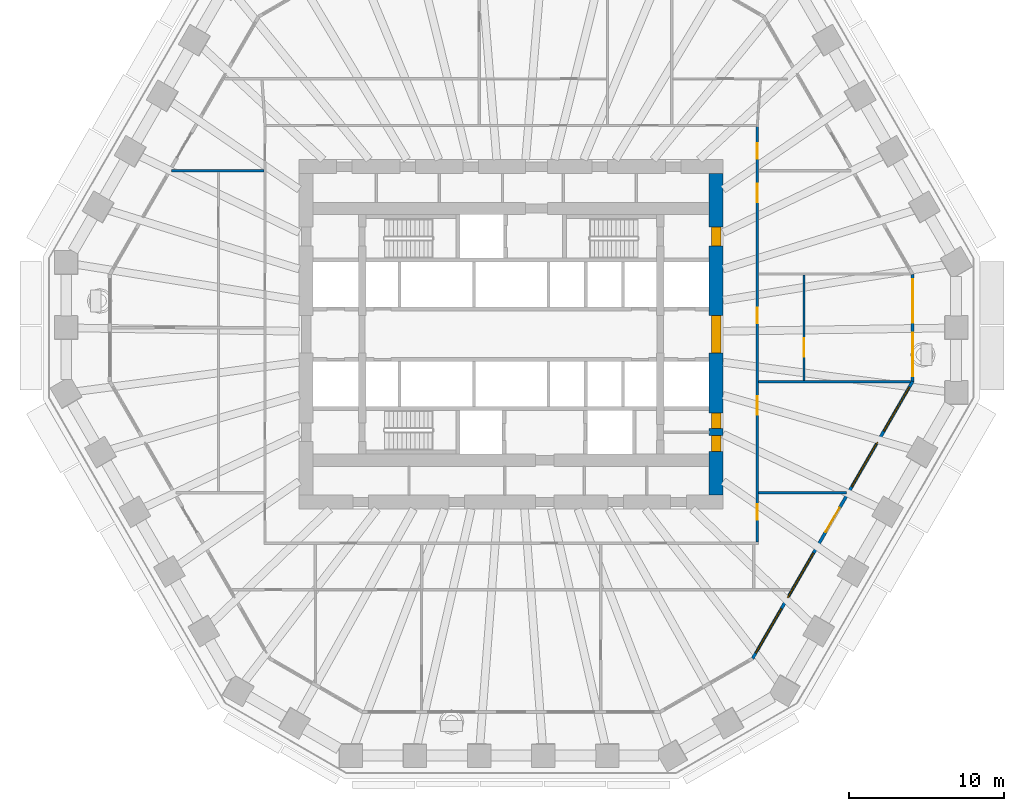
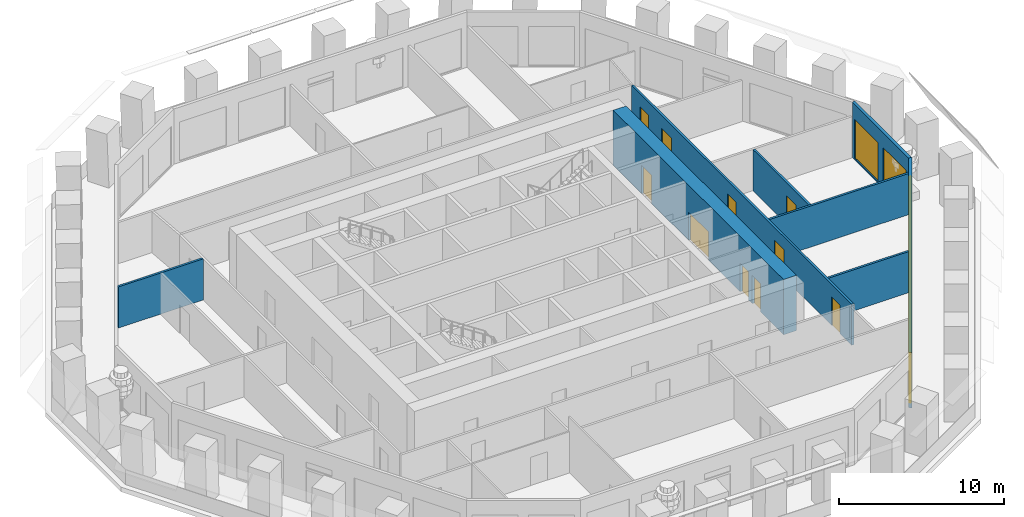
# One storey, part 6 of 13: 11 doors, 8 walls, 7 windows, 18 openings.
"""IFC4 building model written with IfcOpenShell, lengths in metres."""

from ifc_helpers import new_model, si_unit, direction, frame, frame_2d, origin, place, context, subcontext, project, spatial, polyline, rectangle, outline, extrude, material, layer, layer_set, type_object, element, fill, save


model = new_model("IFC4")

# Units and contexts
model_context = context("Model", 3, precision=1e-05, world=origin(), true_north=direction((0.0, 1.0)))
body_context = subcontext(model_context, "Body", "Model", "MODEL_VIEW")
ifc_project = project(units=[si_unit("LENGTHUNIT", "METRE"), si_unit("AREAUNIT", "SQUARE_METRE"), si_unit("VOLUMEUNIT", "CUBIC_METRE"), si_unit("PLANEANGLEUNIT", "RADIAN"), si_unit("MASSUNIT", "GRAM", prefix="KILO")], contexts=[model_context])

# Site, building, storey
site_placement = place(None, origin())
site = spatial("IfcSite", under=ifc_project, at=site_placement, CompositionType="ELEMENT")
building_placement = place(site_placement, origin())
building = spatial("IfcBuilding", under=site, at=building_placement, Name="Frailejon Research Tower", CompositionType="ELEMENT")
storey_placement = place(building_placement, frame((0.0, 0.0, 27.800048828125)))
storey = spatial("IfcBuildingStorey", under=building, at=storey_placement, Name="L06", CompositionType="ELEMENT", Elevation=27.800048828125)

# Wall, openings, doors
ifc_material_1 = material(Name="Concrete C70/85", Category="concrete")
ifc_layer_1 = layer(ifc_material_1, 0.89990234375)
ifc_layer_set_1 = layer_set([ifc_layer_1], Name="Core shear wall 900 C70/85")
wall_type_1 = type_object("IfcWallType", Name="Core shear wall 900 C70/85", PredefinedType="SHEAR", material=ifc_layer_set_1)
wall_1_placement = place(storey_placement, frame((13.199951171875, -10.35009765625, 0.0), z_axis=(0.0, 0.0, 1.0), x_axis=(0.0, 1.0, 0.0)))
wall_1 = element("IfcWall", 1, at=wall_1_placement, inside=storey, type_object=wall_type_1, Name="Core shear wall", PredefinedType="SHEAR", context=body_context, shape_type="SweptSolid", body=[
    extrude(rectangle(XDim=20.7001953125, YDim=0.89990234375, at=frame_2d((10.35009765625, 0.0))), origin(), (0.0, 0.0, 1.0), 4.099853515625),
])
opening_1_placement = place(wall_1_placement, frame((9.14990234375, 0.0, 0.0)))
opening_1 = element("IfcOpeningElement", 2, at=opening_1_placement, cuts=wall_1, Name="Opening D2", PredefinedType="OPENING", context=body_context, shape_type="SweptSolid", body=[
    extrude(rectangle(XDim=2.39990234375, YDim=2.10009765625, at=frame_2d((1.199951171875, 1.050048828125))), frame((0.0, 0.4599609375, 0.0), z_axis=(0.0, -1.0, 0.0), x_axis=(1.0, 0.0, 0.0)), (0.0, 0.0, 1.0), 0.919921875),
])
opening_2_placement = place(wall_1_placement, frame((16.050048828125, 0.0, 0.0)))
opening_2 = element("IfcOpeningElement", 3, at=opening_2_placement, cuts=wall_1, Name="Opening D7", PredefinedType="OPENING", context=body_context, shape_type="SweptSolid", body=[
    extrude(rectangle(XDim=1.199951171875, YDim=2.10009765625, at=frame_2d((0.60009765625, 1.050048828125))), frame((0.0, 0.4599609375, 0.0), z_axis=(0.0, -1.0, 0.0), x_axis=(1.0, 0.0, 0.0)), (0.0, 0.0, 1.0), 0.919921875),
])
opening_3_placement = place(wall_1_placement, frame((2.81884765625, 0.0, 0.0)))
opening_3 = element("IfcOpeningElement", 4, at=opening_3_placement, cuts=wall_1, Name="Opening D4", PredefinedType="OPENING", context=body_context, shape_type="SweptSolid", body=[
    extrude(rectangle(XDim=1.0, YDim=2.10009765625, at=frame_2d((0.5, 1.050048828125))), frame((0.0, 0.4599609375, 0.0), z_axis=(0.0, -1.0, 0.0), x_axis=(1.0, 0.0, 0.0)), (0.0, 0.0, 1.0), 0.919921875),
])
opening_4_placement = place(wall_1_placement, frame((4.28125, 0.0, 0.0)))
opening_4 = element("IfcOpeningElement", 5, at=opening_4_placement, cuts=wall_1, Name="Opening D4", PredefinedType="OPENING", context=body_context, shape_type="SweptSolid", body=[
    extrude(rectangle(XDim=1.0, YDim=2.10009765625, at=frame_2d((0.5, 1.050048828125))), frame((0.0, 0.4599609375, 0.0), z_axis=(0.0, -1.0, 0.0), x_axis=(1.0, 0.0, 0.0)), (0.0, 0.0, 1.0), 0.919921875),
])
ifc_material_2 = material(Name="Steel", Category="steel")
door_type_1 = type_object("IfcDoorType", Name="Lobby double door", OperationType="DOUBLE_DOOR_SINGLE_SWING", PredefinedType="DOOR", material=ifc_material_2)
door_1_placement = place(opening_1_placement, origin())
door_1 = element("IfcDoor", 6, at=door_1_placement, inside=storey, type_object=door_type_1, Name="Lobby door", OperationType="DOUBLE_DOOR_SINGLE_SWING", OverallHeight=2.10009765625, OverallWidth=2.39990234375, PredefinedType="DOOR", context=body_context, shape_type="SweptSolid", body=[
    extrude(rectangle(XDim=2.39990234375, YDim=2.10009765625, at=frame_2d((1.199951171875, 1.050048828125))), frame((0.0, 0.300048828125, 0.0), z_axis=(0.0, -1.0, 0.0), x_axis=(1.0, 0.0, 0.0)), (0.0, 0.0, 1.0), 0.60009765625),
])
fill(opening_1, door_1)
ifc_material_3 = material(Name="Steel", Category="steel")
door_type_2 = type_object("IfcDoorType", Name="Service door", OperationType="SINGLE_SWING_LEFT", PredefinedType="DOOR", material=ifc_material_3)
door_2_placement = place(opening_3_placement, origin())
door_2 = element("IfcDoor", 7, at=door_2_placement, inside=storey, type_object=door_type_2, Name="Store door", OperationType="SINGLE_SWING_LEFT", OverallHeight=2.10009765625, OverallWidth=1.0, PredefinedType="DOOR", context=body_context, shape_type="SweptSolid", body=[
    extrude(rectangle(XDim=1.0, YDim=2.10009765625, at=frame_2d((0.5, 1.050048828125))), frame((0.0, 0.300048828125, 0.0), z_axis=(0.0, -1.0, 0.0), x_axis=(1.0, 0.0, 0.0)), (0.0, 0.0, 1.0), 0.60009765625),
])
fill(opening_3, door_2)
door_3_placement = place(opening_4_placement, origin())
door_3 = element("IfcDoor", 8, at=door_3_placement, inside=storey, type_object=door_type_2, Name="Store door", OperationType="SINGLE_SWING_RIGHT", OverallHeight=2.10009765625, OverallWidth=1.0, PredefinedType="DOOR", context=body_context, shape_type="SweptSolid", body=[
    extrude(rectangle(XDim=1.0, YDim=2.10009765625, at=frame_2d((0.5, 1.050048828125))), frame((0.0, 0.300048828125, 0.0), z_axis=(0.0, -1.0, 0.0), x_axis=(1.0, 0.0, 0.0)), (0.0, 0.0, 1.0), 0.60009765625),
])
fill(opening_4, door_3)
ifc_material_4 = material(Name="Steel", Category="steel")
door_type_3 = type_object("IfcDoorType", Name="Stair exit door", OperationType="SINGLE_SWING_LEFT", PredefinedType="DOOR", material=ifc_material_4)
door_4_placement = place(opening_2_placement, origin())
door_4 = element("IfcDoor", 9, at=door_4_placement, inside=storey, type_object=door_type_3, Name="Stair exit door ST3", OperationType="SINGLE_SWING_LEFT", OverallHeight=2.10009765625, OverallWidth=1.199951171875, PredefinedType="DOOR", context=body_context, shape_type="SweptSolid", body=[
    extrude(rectangle(XDim=1.199951171875, YDim=2.10009765625, at=frame_2d((0.60009765625, 1.050048828125))), frame((0.0, 0.300048828125, 0.0), z_axis=(0.0, -1.0, 0.0), x_axis=(1.0, 0.0, 0.0)), (0.0, 0.0, 1.0), 0.60009765625),
])
fill(opening_2, door_4)

ifc_material_5 = material(Name="Gypsum board and masonry partition", Category="masonry")
ifc_layer_2 = layer(ifc_material_5, 0.14990234375)
ifc_layer_set_2 = layer_set([ifc_layer_2], Name="Corridor wall EI 60, gypsum on steel studs 150")
wall_type_2 = type_object("IfcWallType", Name="Corridor wall EI 60, gypsum on steel studs 150", PredefinedType="PARTITIONING", material=ifc_layer_set_2)
wall_2_placement = place(storey_placement, frame((15.85009765625, -13.375, 0.0), z_axis=(0.0, 0.0, 1.0), x_axis=(0.0, 1.0, 0.0)))
wall_2 = element("IfcWall", 10, at=wall_2_placement, inside=storey, type_object=wall_type_2, Name="T:IW:L06:001", PredefinedType="PARTITIONING", context=body_context, shape_type="SweptSolid", body=[
    extrude(rectangle(XDim=26.75, YDim=0.14990234375, at=frame_2d((13.375, 0.0))), origin(), (0.0, 0.0, 1.0), 3.050048828125),
])
opening_5_placement = place(wall_2_placement, frame((14.07421875, 0.0, 0.0)))
opening_5 = element("IfcOpeningElement", 11, at=opening_5_placement, cuts=wall_2, Name="Opening D1294", PredefinedType="OPENING", context=body_context, shape_type="SweptSolid", body=[
    extrude(rectangle(XDim=1.0, YDim=2.10009765625, at=frame_2d((0.5, 1.050048828125))), frame((0.0, 0.0849609375, 0.0), z_axis=(0.0, -1.0, 0.0), x_axis=(1.0, 0.0, 0.0)), (0.0, 0.0, 1.0), 0.169921875),
])
opening_6_placement = place(wall_2_placement, frame((21.86572265625, 0.0, 0.0)))
opening_6 = element("IfcOpeningElement", 12, at=opening_6_placement, cuts=wall_2, Name="Opening D1295", PredefinedType="OPENING", context=body_context, shape_type="SweptSolid", body=[
    extrude(rectangle(XDim=1.199951171875, YDim=2.10009765625, at=frame_2d((0.60009765625, 1.050048828125))), frame((0.0, 0.0849609375, 0.0), z_axis=(0.0, -1.0, 0.0), x_axis=(1.0, 0.0, 0.0)), (0.0, 0.0, 1.0), 0.169921875),
])
opening_7_placement = place(wall_2_placement, frame((24.689697265625, 0.0, 0.0)))
opening_7 = element("IfcOpeningElement", 13, at=opening_7_placement, cuts=wall_2, Name="Opening D1296", PredefinedType="OPENING", context=body_context, shape_type="SweptSolid", body=[
    extrude(rectangle(XDim=1.0, YDim=2.10009765625, at=frame_2d((0.5, 1.050048828125))), frame((0.0, 0.0849609375, 0.0), z_axis=(0.0, -1.0, 0.0), x_axis=(1.0, 0.0, 0.0)), (0.0, 0.0, 1.0), 0.169921875),
])
opening_8_placement = place(wall_2_placement, frame((1.43017578125, 0.0, 0.0)))
opening_8 = element("IfcOpeningElement", 14, at=opening_8_placement, cuts=wall_2, Name="Opening D1317", PredefinedType="OPENING", context=body_context, shape_type="SweptSolid", body=[
    extrude(rectangle(XDim=1.0, YDim=2.10009765625, at=frame_2d((0.5, 1.050048828125))), frame((0.0, 0.0849609375, 0.0), z_axis=(0.0, -1.0, 0.0), x_axis=(1.0, 0.0, 0.0)), (0.0, 0.0, 1.0), 0.169921875),
])
opening_9_placement = place(wall_2_placement, frame((8.1875, 0.0, 0.0)))
opening_9 = element("IfcOpeningElement", 15, at=opening_9_placement, cuts=wall_2, Name="Opening D1318", PredefinedType="OPENING", context=body_context, shape_type="SweptSolid", body=[
    extrude(rectangle(XDim=1.199951171875, YDim=2.10009765625, at=frame_2d((0.60009765625, 1.050048828125))), frame((0.0, 0.0849609375, 0.0), z_axis=(0.0, -1.0, 0.0), x_axis=(1.0, 0.0, 0.0)), (0.0, 0.0, 1.0), 0.169921875),
])
ifc_material_6 = material(Name="Timber door leaf", Category="wood")
door_type_4 = type_object("IfcDoorType", Name="Door laboratory, timber, vision panel 1200", OperationType="NOTDEFINED", PredefinedType="DOOR", material=ifc_material_6)
door_5_placement = place(opening_6_placement, origin())
door_5 = element("IfcDoor", 16, at=door_5_placement, inside=storey, type_object=door_type_4, Name="D1295", OperationType="DOUBLE_DOOR_SINGLE_SWING", OverallHeight=2.10009765625, OverallWidth=1.199951171875, PredefinedType="DOOR", context=body_context, shape_type="SweptSolid", body=[
    extrude(rectangle(XDim=1.199951171875, YDim=2.10009765625, at=frame_2d((0.60009765625, 1.050048828125))), frame((0.0, 0.02490234375, 0.0), z_axis=(0.0, -1.0, 0.0), x_axis=(1.0, 0.0, 0.0)), (0.0, 0.0, 1.0), 0.050048828125),
])
fill(opening_6, door_5)
door_6_placement = place(opening_9_placement, origin())
door_6 = element("IfcDoor", 17, at=door_6_placement, inside=storey, type_object=door_type_4, Name="D1318", OperationType="DOUBLE_DOOR_SINGLE_SWING", OverallHeight=2.10009765625, OverallWidth=1.199951171875, PredefinedType="DOOR", context=body_context, shape_type="SweptSolid", body=[
    extrude(rectangle(XDim=1.199951171875, YDim=2.10009765625, at=frame_2d((0.60009765625, 1.050048828125))), frame((0.0, 0.02490234375, 0.0), z_axis=(0.0, -1.0, 0.0), x_axis=(1.0, 0.0, 0.0)), (0.0, 0.0, 1.0), 0.050048828125),
])
fill(opening_9, door_6)
ifc_material_7 = material(Name="Timber door leaf", Category="wood")
door_type_5 = type_object("IfcDoorType", Name="Door single leaf, timber, steel frame 1000", OperationType="NOTDEFINED", PredefinedType="DOOR", material=ifc_material_7)
door_7_placement = place(opening_5_placement, origin())
door_7 = element("IfcDoor", 18, at=door_7_placement, inside=storey, type_object=door_type_5, Name="D1294", OperationType="SINGLE_SWING_RIGHT", OverallHeight=2.10009765625, OverallWidth=1.0, PredefinedType="DOOR", context=body_context, shape_type="SweptSolid", body=[
    extrude(rectangle(XDim=1.0, YDim=2.10009765625, at=frame_2d((0.5, 1.050048828125))), frame((0.0, 0.02490234375, 0.0), z_axis=(0.0, -1.0, 0.0), x_axis=(1.0, 0.0, 0.0)), (0.0, 0.0, 1.0), 0.050048828125),
])
fill(opening_5, door_7)
door_8_placement = place(opening_7_placement, origin())
door_8 = element("IfcDoor", 19, at=door_8_placement, inside=storey, type_object=door_type_5, Name="D1296", OperationType="SINGLE_SWING_LEFT", OverallHeight=2.10009765625, OverallWidth=1.0, PredefinedType="DOOR", context=body_context, shape_type="SweptSolid", body=[
    extrude(rectangle(XDim=1.0, YDim=2.10009765625, at=frame_2d((0.5, 1.050048828125))), frame((0.0, 0.02490234375, 0.0), z_axis=(0.0, -1.0, 0.0), x_axis=(1.0, 0.0, 0.0)), (0.0, 0.0, 1.0), 0.050048828125),
])
fill(opening_7, door_8)
door_9_placement = place(opening_8_placement, origin())
door_9 = element("IfcDoor", 20, at=door_9_placement, inside=storey, type_object=door_type_5, Name="D1317", OperationType="SINGLE_SWING_RIGHT", OverallHeight=2.10009765625, OverallWidth=1.0, PredefinedType="DOOR", context=body_context, shape_type="SweptSolid", body=[
    extrude(rectangle(XDim=1.0, YDim=2.10009765625, at=frame_2d((0.5, 1.050048828125))), frame((0.0, 0.02490234375, 0.0), z_axis=(0.0, -1.0, 0.0), x_axis=(1.0, 0.0, 0.0)), (0.0, 0.0, 1.0), 0.050048828125),
])
fill(opening_8, door_9)

# Wall, opening, door
ifc_material_8 = material(Name="Gypsum board and masonry partition", Category="masonry")
ifc_layer_3 = layer(ifc_material_8, 0.14990234375)
ifc_layer_set_3 = layer_set([ifc_layer_3], Name="Laboratory partition, blockwork 150")
wall_type_3 = type_object("IfcWallType", Name="Laboratory partition, blockwork 150", PredefinedType="PARTITIONING", material=ifc_layer_set_3)
wall_3_placement = place(storey_placement, frame((18.85009765625, -2.974365234375, 0.0), z_axis=(0.0, 0.0, 1.0), x_axis=(0.0, 1.0, 0.0)))
wall_3 = element("IfcWall", 21, at=wall_3_placement, inside=storey, type_object=wall_type_3, Name="T:IW:L06:005", PredefinedType="PARTITIONING", context=body_context, shape_type="SweptSolid", body=[
    extrude(rectangle(XDim=6.7783203125, YDim=0.14990234375, at=frame_2d((3.38916015625, 0.0))), origin(), (0.0, 0.0, 1.0), 3.050048828125),
])
opening_10_placement = place(wall_3_placement, frame((1.531982421875, 0.0, 0.0)))
opening_10 = element("IfcOpeningElement", 22, at=opening_10_placement, cuts=wall_3, Name="Opening D1293", PredefinedType="OPENING", context=body_context, shape_type="SweptSolid", body=[
    extrude(rectangle(XDim=1.199951171875, YDim=2.10009765625, at=frame_2d((0.60009765625, 1.050048828125))), frame((0.0, 0.0849609375, 0.0), z_axis=(0.0, -1.0, 0.0), x_axis=(1.0, 0.0, 0.0)), (0.0, 0.0, 1.0), 0.169921875),
])
door_10_placement = place(opening_10_placement, origin())
door_10 = element("IfcDoor", 23, at=door_10_placement, inside=storey, type_object=door_type_4, Name="D1293", OperationType="DOUBLE_DOOR_SINGLE_SWING", OverallHeight=2.10009765625, OverallWidth=1.199951171875, PredefinedType="DOOR", context=body_context, shape_type="SweptSolid", body=[
    extrude(rectangle(XDim=1.199951171875, YDim=2.10009765625, at=frame_2d((0.60009765625, 1.050048828125))), frame((0.0, 0.02490234375, 0.0), z_axis=(0.0, -1.0, 0.0), x_axis=(1.0, 0.0, 0.0)), (0.0, 0.0, 1.0), 0.050048828125),
])
fill(opening_10, door_10)

# Walls
wall_4_placement = place(storey_placement, frame((15.925048828125, -3.04931640625, 0.0), z_axis=(0.0, 0.0, 1.0), x_axis=(1.0, 0.0, 0.0)))
element("IfcWall", 24, at=wall_4_placement, inside=storey, type_object=wall_type_3, Name="T:IW:L06:007", PredefinedType="PARTITIONING", context=body_context, shape_type="SweptSolid", body=[
    extrude(rectangle(XDim=9.79638671875, YDim=0.14990234375, at=frame_2d((4.898193359375, 0.0))), origin(), (0.0, 0.0, 1.0), 3.050048828125),
])
wall_5_placement = place(storey_placement, frame((-21.87451171875, 10.541748046875, 0.0), z_axis=(0.0, 0.0, 1.0), x_axis=(1.0, 0.0, 0.0)))
element("IfcWall", 25, at=wall_5_placement, inside=storey, type_object=wall_type_3, Name="T:IW:L06:008", PredefinedType="PARTITIONING", context=body_context, shape_type="SweptSolid", body=[
    extrude(rectangle(XDim=5.949462890625, YDim=0.14990234375, at=frame_2d((2.974609375, 0.0))), origin(), (0.0, 0.0, 1.0), 3.050048828125),
])
wall_6_placement = place(storey_placement, frame((15.925048828125, -10.2099609375, 0.0), z_axis=(0.0, 0.0, 1.0), x_axis=(1.0, 0.0, 0.0)))
element("IfcWall", 26, at=wall_6_placement, inside=storey, type_object=wall_type_3, Name="T:IW:L06:018", PredefinedType="PARTITIONING", context=body_context, shape_type="SweptSolid", body=[
    extrude(rectangle(XDim=5.662109375, YDim=0.14990234375, at=frame_2d((2.8310546875, 0.0))), origin(), (0.0, 0.0, 1.0), 3.050048828125),
])

# Wall, openings, windows
ifc_material_9 = material(Name="Concrete C40/50 precast window wall panel", Category="concrete")
ifc_layer_4 = layer(ifc_material_9, 0.199951171875)
ifc_layer_set_4 = layer_set([ifc_layer_4], Name="Window wall 200")
wall_type_4 = type_object("IfcWallType", Name="Window wall 200", PredefinedType="SOLIDWALL", material=ifc_layer_set_4)
wall_7_placement = place(storey_placement, frame((25.852294921875, -3.0224609375, 0.0), z_axis=(0.0, 0.0, 1.0), x_axis=(0.0, 1.0, 0.0)))
wall_7 = element("IfcWall", 27, at=wall_7_placement, inside=storey, type_object=wall_type_4, Name="Exterior wall L06", PredefinedType="SOLIDWALL", context=body_context, shape_type="SweptSolid", body=[
    extrude(outline(polyline([(-0.02685546875, -0.10009765625), (1.1279296875, -0.10009765625), (2.282470703125, -0.10009765625), (3.437255859375, -0.10009765625), (4.592041015625, -0.10009765625), (5.74658203125, -0.10009765625), (6.9013671875, -0.10009765625), (6.84765625, 0.10009765625), (5.7109375, 0.10009765625), (4.573974609375, 0.10009765625), (3.437255859375, 0.10009765625), (2.300537109375, 0.10009765625), (1.16357421875, 0.10009765625), (0.02685546875, 0.10009765625), (-0.02685546875, -0.10009765625)])), origin(), (0.0, 0.0, 1.0), 4.099853515625),
])
opening_11_placement = place(wall_7_placement, frame((0.318603515625, 0.0, 0.10009765625)))
opening_11 = element("IfcOpeningElement", 28, at=opening_11_placement, cuts=wall_7, Name="Opening W3", PredefinedType="OPENING", context=body_context, shape_type="SweptSolid", body=[
    extrude(rectangle(XDim=2.800048828125, YDim=2.89990234375, at=frame_2d((1.39990234375, 1.449951171875))), frame((0.0, 0.10986328125, 0.0), z_axis=(0.0, -1.0, 0.0), x_axis=(1.0, 0.0, 0.0)), (0.0, 0.0, 1.0), 0.219970703125),
])
opening_12_placement = place(wall_7_placement, frame((3.756103515625, 0.0, 0.10009765625)))
opening_12 = element("IfcOpeningElement", 29, at=opening_12_placement, cuts=wall_7, Name="Opening W3", PredefinedType="OPENING", context=body_context, shape_type="SweptSolid", body=[
    extrude(rectangle(XDim=2.800048828125, YDim=2.89990234375, at=frame_2d((1.39990234375, 1.449951171875))), frame((0.0, 0.10986328125, 0.0), z_axis=(0.0, -1.0, 0.0), x_axis=(1.0, 0.0, 0.0)), (0.0, 0.0, 1.0), 0.219970703125),
])
ifc_material_10 = material(Name="Aluminium framed double glazing", Category="aluminium")
window_type_1 = type_object("IfcWindowType", Name="Window 2800x2900", PartitioningType="SINGLE_PANEL", PredefinedType="WINDOW", material=ifc_material_10)
window_1_placement = place(opening_11_placement, origin())
window_1 = element("IfcWindow", 30, at=window_1_placement, inside=storey, type_object=window_type_1, Name="Window L06", OverallHeight=2.89990234375, OverallWidth=2.800048828125, PartitioningType="SINGLE_PANEL", PredefinedType="WINDOW", context=body_context, shape_type="SweptSolid", body=[
    extrude(rectangle(XDim=2.800048828125, YDim=2.89990234375, at=frame_2d((1.39990234375, 1.449951171875))), frame((0.0, 0.030029296875, 0.0), z_axis=(0.0, -1.0, 0.0), x_axis=(1.0, 0.0, 0.0)), (0.0, 0.0, 1.0), 0.06005859375),
])
fill(opening_11, window_1)
window_2_placement = place(opening_12_placement, origin())
window_2 = element("IfcWindow", 31, at=window_2_placement, inside=storey, type_object=window_type_1, Name="Window L06", OverallHeight=2.89990234375, OverallWidth=2.800048828125, PartitioningType="SINGLE_PANEL", PredefinedType="WINDOW", context=body_context, shape_type="SweptSolid", body=[
    extrude(rectangle(XDim=2.800048828125, YDim=2.89990234375, at=frame_2d((1.39990234375, 1.449951171875))), frame((0.0, 0.030029296875, 0.0), z_axis=(0.0, -1.0, 0.0), x_axis=(1.0, 0.0, 0.0)), (0.0, 0.0, 1.0), 0.06005859375),
])
fill(opening_12, window_2)

# Wall, openings, door, windows
wall_8_placement = place(storey_placement, frame((15.543701171875, -20.87744140625, 0.0), z_axis=(0.0, 0.0, 1.0), x_axis=(0.500000580948, 0.866025068374, 0.0)))
wall_8 = element("IfcWall", 32, at=wall_8_placement, inside=storey, type_object=wall_type_4, Name="Exterior wall L06", PredefinedType="SOLIDWALL", context=body_context, shape_type="SweptSolid", body=[
    extrude(outline(polyline([(-0.02685546875, -0.10009765625), (1.006591796875, -0.10009765625), (2.040283203125, -0.10009765625), (3.07373046875, -0.10009765625), (4.107421875, -0.10009765625), (5.140869140625, -0.10009765625), (6.17431640625, -0.10009765625), (7.2080078125, -0.10009765625), (8.241455078125, -0.10009765625), (9.275146484375, -0.10009765625), (10.30859375, -0.10009765625), (11.342041015625, -0.10009765625), (12.375732421875, -0.10009765625), (13.4091796875, -0.10009765625), (14.44287109375, -0.10009765625), (15.476318359375, -0.10009765625), (16.509765625, -0.10009765625), (17.54345703125, -0.10009765625), (18.576904296875, -0.10009765625), (19.610595703125, -0.10009765625), (20.64404296875, -0.10009765625), (20.59033203125, 0.10009765625), (19.562255859375, 0.10009765625), (18.533935546875, 0.10009765625), (17.505859375, 0.10009765625), (16.4775390625, 0.10009765625), (15.449462890625, 0.10009765625), (14.42138671875, 0.10009765625), (13.39306640625, 0.10009765625), (12.364990234375, 0.10009765625), (11.336669921875, 0.10009765625), (10.30859375, 0.10009765625), (9.280517578125, 0.10009765625), (8.252197265625, 0.10009765625), (7.22412109375, 0.10009765625), (6.19580078125, 0.10009765625), (5.167724609375, 0.10009765625), (4.1396484375, 0.10009765625), (3.111328125, 0.10009765625), (2.083251953125, 0.10009765625), (1.054931640625, 0.10009765625), (0.02685546875, 0.10009765625), (-0.02685546875, -0.10009765625)])), origin(), (0.0, 0.0, 1.0), 4.099853515625),
])
opening_13_placement = place(wall_8_placement, frame((0.41162109375, 0.0, 0.10009765625)))
opening_13 = element("IfcOpeningElement", 33, at=opening_13_placement, cuts=wall_8, Name="Opening W5", PredefinedType="OPENING", context=body_context, shape_type="SweptSolid", body=[
    extrude(rectangle(XDim=3.300048828125, YDim=2.89990234375, at=frame_2d((1.64990234375, 1.449951171875))), frame((0.0, 0.10986328125, 0.0), z_axis=(0.0, -1.0, 0.0), x_axis=(1.0, 0.0, 0.0)), (0.0, 0.0, 1.0), 0.219970703125),
])
opening_14_placement = place(wall_8_placement, frame((4.53515625, 0.0, 0.10009765625)))
opening_14 = element("IfcOpeningElement", 34, at=opening_14_placement, cuts=wall_8, Name="Opening W5", PredefinedType="OPENING", context=body_context, shape_type="SweptSolid", body=[
    extrude(rectangle(XDim=3.300048828125, YDim=2.89990234375, at=frame_2d((1.64990234375, 1.449951171875))), frame((0.0, 0.10986328125, 0.0), z_axis=(0.0, -1.0, 0.0), x_axis=(1.0, 0.0, 0.0)), (0.0, 0.0, 1.0), 0.219970703125),
])
opening_15_placement = place(wall_8_placement, frame((9.40869140625, 0.0, 0.0)))
opening_15 = element("IfcOpeningElement", 35, at=opening_15_placement, cuts=wall_8, Name="Opening LG06-6", PredefinedType="OPENING", context=body_context, shape_type="SweptSolid", body=[
    extrude(rectangle(XDim=1.800048828125, YDim=2.39990234375, at=frame_2d((0.89990234375, 1.199951171875))), frame((0.0, 0.10986328125, 0.0), z_axis=(0.0, -1.0, 0.0), x_axis=(1.0, 0.0, 0.0)), (0.0, 0.0, 1.0), 0.219970703125),
])
opening_16_placement = place(wall_8_placement, frame((9.40869140625, 0.0, 2.550048828125)))
opening_16 = element("IfcOpeningElement", 36, at=opening_16_placement, cuts=wall_8, Name="Opening W1", PredefinedType="OPENING", context=body_context, shape_type="SweptSolid", body=[
    extrude(rectangle(XDim=1.800048828125, YDim=0.449951171875, at=frame_2d((0.89990234375, 0.22509765625))), frame((0.0, 0.10986328125, 0.0), z_axis=(0.0, -1.0, 0.0), x_axis=(1.0, 0.0, 0.0)), (0.0, 0.0, 1.0), 0.219970703125),
])
opening_17_placement = place(wall_8_placement, frame((12.781982421875, 0.0, 0.10009765625)))
opening_17 = element("IfcOpeningElement", 37, at=opening_17_placement, cuts=wall_8, Name="Opening W5", PredefinedType="OPENING", context=body_context, shape_type="SweptSolid", body=[
    extrude(rectangle(XDim=3.300048828125, YDim=2.89990234375, at=frame_2d((1.64990234375, 1.449951171875))), frame((0.0, 0.10986328125, 0.0), z_axis=(0.0, -1.0, 0.0), x_axis=(1.0, 0.0, 0.0)), (0.0, 0.0, 1.0), 0.219970703125),
])
opening_18_placement = place(wall_8_placement, frame((16.905517578125, 0.0, 0.10009765625)))
opening_18 = element("IfcOpeningElement", 38, at=opening_18_placement, cuts=wall_8, Name="Opening W5", PredefinedType="OPENING", context=body_context, shape_type="SweptSolid", body=[
    extrude(rectangle(XDim=3.300048828125, YDim=2.89990234375, at=frame_2d((1.64990234375, 1.449951171875))), frame((0.0, 0.10986328125, 0.0), z_axis=(0.0, -1.0, 0.0), x_axis=(1.0, 0.0, 0.0)), (0.0, 0.0, 1.0), 0.219970703125),
])
ifc_material_11 = material(Name="Aluminium framed glazed door leaf", Category="aluminium")
door_type_6 = type_object("IfcDoorType", Name="Loggia door 1800x2400", OperationType="DOUBLE_DOOR_SINGLE_SWING", PredefinedType="DOOR", material=ifc_material_11)
door_11_placement = place(opening_15_placement, origin())
door_11 = element("IfcDoor", 39, at=door_11_placement, inside=storey, type_object=door_type_6, Name="Door LG06-6", OperationType="DOUBLE_DOOR_SINGLE_SWING", OverallHeight=2.39990234375, OverallWidth=1.800048828125, PredefinedType="DOOR", context=body_context, shape_type="SweptSolid", body=[
    extrude(rectangle(XDim=1.800048828125, YDim=2.39990234375, at=frame_2d((0.89990234375, 1.199951171875))), frame((0.0, 0.02490234375, 0.0), z_axis=(0.0, -1.0, 0.0), x_axis=(1.0, 0.0, 0.0)), (0.0, 0.0, 1.0), 0.050048828125),
])
fill(opening_15, door_11)
ifc_material_12 = material(Name="Aluminium framed double glazing", Category="aluminium")
window_type_2 = type_object("IfcWindowType", Name="Window 1800x450", PartitioningType="SINGLE_PANEL", PredefinedType="WINDOW", material=ifc_material_12)
window_3_placement = place(opening_16_placement, origin())
window_3 = element("IfcWindow", 40, at=window_3_placement, inside=storey, type_object=window_type_2, Name="Window L06", OverallHeight=0.449951171875, OverallWidth=1.800048828125, PartitioningType="SINGLE_PANEL", PredefinedType="WINDOW", context=body_context, shape_type="SweptSolid", body=[
    extrude(rectangle(XDim=1.800048828125, YDim=0.449951171875, at=frame_2d((0.89990234375, 0.22509765625))), frame((0.0, 0.030029296875, 0.0), z_axis=(0.0, -1.0, 0.0), x_axis=(1.0, 0.0, 0.0)), (0.0, 0.0, 1.0), 0.06005859375),
])
fill(opening_16, window_3)
ifc_material_13 = material(Name="Aluminium framed double glazing", Category="aluminium")
window_type_3 = type_object("IfcWindowType", Name="Window 3300x2900", PartitioningType="SINGLE_PANEL", PredefinedType="WINDOW", material=ifc_material_13)
window_4_placement = place(opening_13_placement, origin())
window_4 = element("IfcWindow", 41, at=window_4_placement, inside=storey, type_object=window_type_3, Name="Window L06", OverallHeight=2.89990234375, OverallWidth=3.300048828125, PartitioningType="SINGLE_PANEL", PredefinedType="WINDOW", context=body_context, shape_type="SweptSolid", body=[
    extrude(rectangle(XDim=3.300048828125, YDim=2.89990234375, at=frame_2d((1.64990234375, 1.449951171875))), frame((0.0, 0.030029296875, 0.0), z_axis=(0.0, -1.0, 0.0), x_axis=(1.0, 0.0, 0.0)), (0.0, 0.0, 1.0), 0.06005859375),
])
fill(opening_13, window_4)
window_5_placement = place(opening_14_placement, origin())
window_5 = element("IfcWindow", 42, at=window_5_placement, inside=storey, type_object=window_type_3, Name="Window L06", OverallHeight=2.89990234375, OverallWidth=3.300048828125, PartitioningType="SINGLE_PANEL", PredefinedType="WINDOW", context=body_context, shape_type="SweptSolid", body=[
    extrude(rectangle(XDim=3.300048828125, YDim=2.89990234375, at=frame_2d((1.64990234375, 1.449951171875))), frame((0.0, 0.030029296875, 0.0), z_axis=(0.0, -1.0, 0.0), x_axis=(1.0, 0.0, 0.0)), (0.0, 0.0, 1.0), 0.06005859375),
])
fill(opening_14, window_5)
window_6_placement = place(opening_17_placement, origin())
window_6 = element("IfcWindow", 43, at=window_6_placement, inside=storey, type_object=window_type_3, Name="Window L06", OverallHeight=2.89990234375, OverallWidth=3.300048828125, PartitioningType="SINGLE_PANEL", PredefinedType="WINDOW", context=body_context, shape_type="SweptSolid", body=[
    extrude(rectangle(XDim=3.300048828125, YDim=2.89990234375, at=frame_2d((1.64990234375, 1.449951171875))), frame((0.0, 0.030029296875, 0.0), z_axis=(0.0, -1.0, 0.0), x_axis=(1.0, 0.0, 0.0)), (0.0, 0.0, 1.0), 0.06005859375),
])
fill(opening_17, window_6)
window_7_placement = place(opening_18_placement, origin())
window_7 = element("IfcWindow", 44, at=window_7_placement, inside=storey, type_object=window_type_3, Name="Window L06", OverallHeight=2.89990234375, OverallWidth=3.300048828125, PartitioningType="SINGLE_PANEL", PredefinedType="WINDOW", context=body_context, shape_type="SweptSolid", body=[
    extrude(rectangle(XDim=3.300048828125, YDim=2.89990234375, at=frame_2d((1.64990234375, 1.449951171875))), frame((0.0, 0.030029296875, 0.0), z_axis=(0.0, -1.0, 0.0), x_axis=(1.0, 0.0, 0.0)), (0.0, 0.0, 1.0), 0.06005859375),
])
fill(opening_18, window_7)

save(model, "model.ifc")
